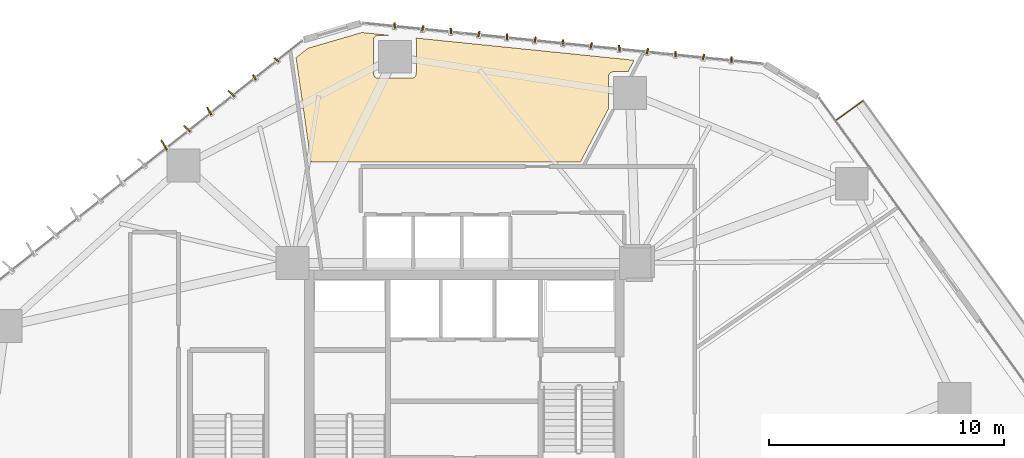
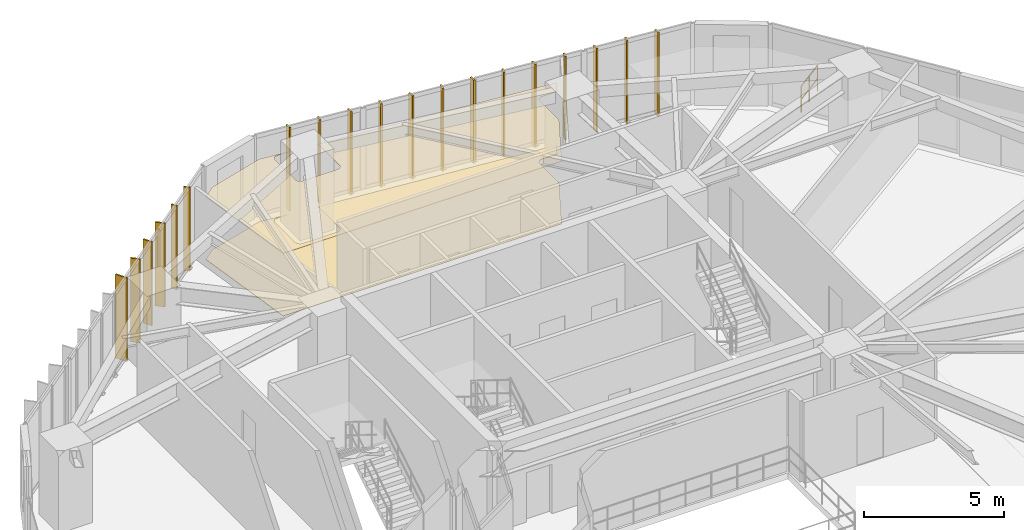
# One storey, part 24 of 24: 19 shading devices, 2 coverings, 1 railing.
"""IFC4 building model written with IfcOpenShell, lengths in metres."""

import ifcopenshell
import ifcopenshell.guid

model = None  # the IFC model being written
_history = None  # IfcOwnerHistory: only IFC2X3 demands one
_inside = {}  # id of a spatial element -> (the spatial element, [elements in it])
_under = {}  # id of a project, library or spatial element -> (it, [spatial elements below it])
_declared = {}  # id of a project -> (the project, [libraries it declares])
_typed = {}  # id of a type object -> (the type object, [elements of that type])
_made_of = {}  # id of a material, layer set ... -> (it, [elements and type objects made of it])


def new_model(schema):
    """Start an empty IFC model of exactly this schema.

    Asked for "IFC4X3", IfcOpenShell would pick the latest addendum, in which some entities
    have other attributes; the version numbers below select the first issue.
    IFC2X3 requires an IfcOwnerHistory on every rooted entity: one is made here for all.
    """
    global model, _history
    if schema == "IFC4X3":
        model = ifcopenshell.file(schema_version=(4, 3, 0, 0))
    else:
        model = ifcopenshell.file(schema=schema)
    _inside.clear()
    _under.clear()
    _declared.clear()
    _typed.clear()
    _made_of.clear()
    _history = None
    if model.schema == "IFC2X3":
        org = make("IfcOrganization", Name="unknown")
        user = make(
            "IfcPersonAndOrganization",
            ThePerson=make("IfcPerson", FamilyName="unknown"),
            TheOrganization=org,
        )
        app = make(
            "IfcApplication",
            ApplicationDeveloper=org,
            Version="unknown",
            ApplicationFullName="unknown",
            ApplicationIdentifier="unknown",
        )
        _history = make(
            "IfcOwnerHistory",
            OwningUser=user,
            OwningApplication=app,
            ChangeAction="ADDED",
            CreationDate=0,
        )
    return model


def make(cls, **values):
    """One entity of the class cls with the attributes given. An attribute that is None is left unset."""
    return model.create_entity(
        cls, **{name: value for name, value in values.items() if value is not None}
    )


def rooted(cls, **values):
    """An entity with a GlobalId (a new one), such as an element, a storey or a relation."""
    return make(cls, GlobalId=ifcopenshell.guid.new(), OwnerHistory=_history, **values)


def si_unit(unit_type, name, prefix=None):
    """IfcSIUnit, for example si_unit("LENGTHUNIT", "METRE", prefix="MILLI")."""
    return make("IfcSIUnit", UnitType=unit_type, Prefix=prefix, Name=name)


def assignment(units):
    """IfcUnitAssignment: the units of a project."""
    return None if units is None else make("IfcUnitAssignment", Units=units)


def point(xyz):
    """IfcCartesianPoint."""
    return None if xyz is None else make("IfcCartesianPoint", Coordinates=xyz)


def direction(xyz):
    """IfcDirection."""
    return None if xyz is None else make("IfcDirection", DirectionRatios=xyz)


def frame(location, z_axis=None, x_axis=None):
    """IfcAxis2Placement3D, a coordinate frame: its origin and axes. An axis left out is left unset."""
    return make(
        "IfcAxis2Placement3D",
        Location=point(location),
        Axis=direction(z_axis),
        RefDirection=direction(x_axis),
    )


def frame_2d(location, x_axis=None):
    """IfcAxis2Placement2D, a coordinate frame in the plane: its origin and x axis."""
    return make(
        "IfcAxis2Placement2D", Location=point(location), RefDirection=direction(x_axis)
    )


def origin():
    """The frame at (0, 0, 0) with its axes left unset."""
    return frame((0.0, 0.0, 0.0))


def origin_2d():
    """The frame at (0, 0) in the plane with its x axis left unset."""
    return frame_2d((0.0, 0.0))


def place(relative_to, where):
    """IfcLocalPlacement: puts the frame where relative to a parent placement (None: the world)."""
    return make(
        "IfcLocalPlacement", PlacementRelTo=relative_to, RelativePlacement=where
    )


def context(
    kind, dimensions, precision=None, world=None, true_north=None, identifier=None
):
    """IfcGeometricRepresentationContext, for example the 3D "Model" context."""
    return make(
        "IfcGeometricRepresentationContext",
        ContextIdentifier=identifier,
        ContextType=kind,
        CoordinateSpaceDimension=dimensions,
        Precision=precision,
        WorldCoordinateSystem=world,
        TrueNorth=true_north,
    )


def subcontext(parent, identifier, kind, view, scale=None):
    """IfcGeometricRepresentationSubContext, for example "Body" below "Model"."""
    return make(
        "IfcGeometricRepresentationSubContext",
        ContextIdentifier=identifier,
        ContextType=kind,
        ParentContext=parent,
        TargetScale=scale,
        TargetView=view,
    )


def project(units=None, contexts=None):
    """IfcProject with its units and contexts."""
    return rooted(
        "IfcProject",
        Name="project",
        RepresentationContexts=contexts,
        UnitsInContext=assignment(units),
    )


def spatial(cls, under=None, at=None, **own):
    """A site, building, storey or space (cls), placed at a placement, below another one or the project."""
    s = rooted(cls, ObjectPlacement=at, **own)
    if under is not None:
        _under.setdefault(under.id(), (under, []))[1].append(s)
    return s


def polyline(points):
    """IfcPolyline through the points."""
    return make("IfcPolyline", Points=[point(p) for p in points])


def profile(cls, at=None, kind="AREA", **sizes):
    """A parametric profile (cls). Its sizes go by their IFC names, for example OverallWidth=200.0."""
    return make(cls, ProfileType=kind, Position=at, **sizes)


def rectangle(**sizes):
    """IfcRectangleProfileDef."""
    return profile("IfcRectangleProfileDef", **sizes)


def circle(**sizes):
    """IfcCircleProfileDef."""
    return profile("IfcCircleProfileDef", **sizes)


def outline(outer, holes=None, kind="AREA"):
    """IfcArbitraryClosedProfileDef: a profile drawn as a closed curve; with holes, ...WithVoids."""
    if holes is None:
        return make("IfcArbitraryClosedProfileDef", ProfileType=kind, OuterCurve=outer)
    return make(
        "IfcArbitraryProfileDefWithVoids",
        ProfileType=kind,
        OuterCurve=outer,
        InnerCurves=holes,
    )


def extrude(swept, where, along, depth):
    """IfcExtrudedAreaSolid: the profile swept, set in the frame where, extruded along a direction by depth."""
    return make(
        "IfcExtrudedAreaSolid",
        SweptArea=swept,
        Position=where,
        ExtrudedDirection=direction(along),
        Depth=depth,
    )


def shape(context_of_items, identifier, shape_type, items):
    """IfcShapeRepresentation: the items that make up one representation, for example the "Body"."""
    return make(
        "IfcShapeRepresentation",
        ContextOfItems=context_of_items,
        RepresentationIdentifier=identifier,
        RepresentationType=shape_type,
        Items=items,
    )


def source(mapping_origin, context_of_items, identifier, shape_type, items):
    """IfcRepresentationMap: a shape defined once, which mapped items show again and again."""
    return make(
        "IfcRepresentationMap",
        MappingOrigin=mapping_origin,
        MappedRepresentation=shape(context_of_items, identifier, shape_type, items),
    )


def transform(
    local_origin,
    x_axis=None,
    y_axis=None,
    z_axis=None,
    scale=None,
    scale2=None,
    scale3=None,
    uniform=True,
):
    """IfcCartesianTransformationOperator3D, or its non-uniform kind. x_axis, y_axis, z_axis: its Axis1, 2, 3."""
    if uniform:
        return make(
            "IfcCartesianTransformationOperator3D",
            Axis1=direction(x_axis),
            Axis2=direction(y_axis),
            LocalOrigin=point(local_origin),
            Scale=scale,
            Axis3=direction(z_axis),
        )
    return make(
        "IfcCartesianTransformationOperator3DnonUniform",
        Axis1=direction(x_axis),
        Axis2=direction(y_axis),
        LocalOrigin=point(local_origin),
        Scale=scale,
        Axis3=direction(z_axis),
        Scale2=scale2,
        Scale3=scale3,
    )


def mapped(mapping_source, mapping_target):
    """IfcMappedItem: shows the shape of a source again, moved by a transform."""
    return make(
        "IfcMappedItem", MappingSource=mapping_source, MappingTarget=mapping_target
    )


def material(Name=None, Category=None):
    """IfcMaterial."""
    return make("IfcMaterial", Name=Name, Category=Category)


def layer(
    of_material, thickness, ventilated=None, Name=None, Category=None, Priority=None
):
    """IfcMaterialLayer: one layer of a wall or slab, of a material (None: an air gap)."""
    return make(
        "IfcMaterialLayer",
        Material=of_material,
        LayerThickness=thickness,
        IsVentilated=ventilated,
        Name=Name,
        Category=Category,
        Priority=Priority,
    )


def layer_set(layers, Name=None):
    """IfcMaterialLayerSet."""
    return make("IfcMaterialLayerSet", MaterialLayers=layers, LayerSetName=Name)


def made_of(thing, what):
    """Note that an element or type object is made of a material, layer set ...; save() writes the relation."""
    if what is not None:
        _made_of.setdefault(what.id(), (what, []))[1].append(thing)
    return thing


def type_object(cls, material=None, **own):
    """A type object (cls), such as IfcWallType, which elements share."""
    return made_of(rooted(cls, **own), material)


def type_shapes(of_type, sources):
    """Give a type object the sources (RepresentationMaps) that its elements show as mapped items."""
    of_type.RepresentationMaps = sources


def element(
    cls,
    number,
    at=None,
    inside=None,
    cuts=None,
    type_object=None,
    material=None,
    context=None,
    identifier="Body",
    shape_type=None,
    held_by="IfcProductDefinitionShape",
    body=None,
    shapes=None,
    **own,
):
    """One element of the class cls, such as IfcWall. Its Tag is "e" and its number.

    at: its placement. inside: the storey or other place that contains it. cuts: it is an
    opening in that element (IfcRelVoidsElement). A single representation is given by context,
    identifier, shape_type and body (its items); several are given by shapes. held_by: the class
    of the entity that holds the representations. save() writes the other relations.
    """
    e = rooted(cls, Tag="e%d" % number, ObjectPlacement=at, **own)
    if body is not None:
        shapes = [shape(context, identifier, shape_type, body)]
    if shapes is not None:
        e.Representation = make(held_by, Representations=shapes)
    if inside is not None:
        _inside.setdefault(inside.id(), (inside, []))[1].append(e)
    if cuts is not None:
        rooted(
            "IfcRelVoidsElement", RelatingBuildingElement=cuts, RelatedOpeningElement=e
        )
    if type_object is not None:
        _typed.setdefault(type_object.id(), (type_object, []))[1].append(e)
    return made_of(e, material)


def aggregate(whole, parts):
    """IfcRelAggregates: a whole, such as a stair, and the parts it consists of."""
    return rooted("IfcRelAggregates", RelatingObject=whole, RelatedObjects=parts)


def save(model, path):
    """Write the relations noted so far, then the file.

    IfcRelAggregates (storeys below a building ...), IfcRelContainedInSpatialStructure (elements
    in a storey), IfcRelDefinesByType, IfcRelAssociatesMaterial and IfcRelDeclares: one each for
    every whole, place, type object, material and project.
    """
    for whole, parts in _under.values():
        aggregate(whole, parts)
    for where, things in _inside.values():
        rooted(
            "IfcRelContainedInSpatialStructure",
            RelatedElements=things,
            RelatingStructure=where,
        )
    for kind, things in _typed.values():
        rooted("IfcRelDefinesByType", RelatedObjects=things, RelatingType=kind)
    for what, things in _made_of.values():
        rooted("IfcRelAssociatesMaterial", RelatedObjects=things, RelatingMaterial=what)
    for by, libraries in _declared.values():
        rooted("IfcRelDeclares", RelatingContext=by, RelatedDefinitions=libraries)
    model.write(path)


model = new_model("IFC4")

# Units and contexts
model_context = context("Model", 3, precision=1e-05, world=origin(), true_north=direction((0.0, 1.0)))
body_context = subcontext(model_context, "Body", "Model", "MODEL_VIEW")
ifc_project = project(units=[si_unit("LENGTHUNIT", "METRE"), si_unit("AREAUNIT", "SQUARE_METRE"), si_unit("VOLUMEUNIT", "CUBIC_METRE"), si_unit("PLANEANGLEUNIT", "RADIAN"), si_unit("MASSUNIT", "GRAM", prefix="KILO")], contexts=[model_context])

# Site, building, storey
site_placement = place(None, origin())
site = spatial("IfcSite", under=ifc_project, at=site_placement, CompositionType="ELEMENT")
building_placement = place(site_placement, origin())
building = spatial("IfcBuilding", under=site, at=building_placement, Name="Talar Marvaseh", CompositionType="ELEMENT")
storey_placement = place(building_placement, frame((0.0, 0.0, 73.39990234375)))
storey = spatial("IfcBuildingStorey", under=building, at=storey_placement, Name="L18", CompositionType="ELEMENT", Elevation=73.39990234375)

# Railing
ifc_material_1 = material(Name="Tempered Clear Glass", Category="glass")
railing_type = type_object("IfcRailingType", Name="External Laminated Glass Terrace Balustrade 1150", PredefinedType="BALUSTRADE", material=ifc_material_1)
railing_placement = place(storey_placement, frame((41.810302734375, 42.963623046875, 0.0)))
element("IfcRailing", 1, at=railing_placement, inside=storey, type_object=railing_type, Name="L18 External Terrace Balustrade 1 1", PredefinedType="BALUSTRADE", context=body_context, shape_type="SweptSolid", body=[
    extrude(circle(Radius=0.02392578125, at=origin_2d()), frame((0.0, 0.0, 1.1259765625), z_axis=(0.809984663489, 0.586451059264, 0.0), x_axis=(-0.586451059264, 0.809984663489, 0.0)), (0.0, 0.0, 1.0), 1.409912109375),
    extrude(circle(Radius=0.02392578125, at=origin_2d()), frame((0.0, 0.0, 0.55078125), z_axis=(0.809984663489, 0.586451059264, 0.0), x_axis=(-0.586451059264, 0.809984663489, 0.0)), (0.0, 0.0, 1.0), 1.409912109375),
    extrude(circle(Radius=0.02099609375, at=origin_2d()), origin(), (0.0, 0.0, 1.0), 1.101806640625),
    extrude(circle(Radius=0.02099609375, at=origin_2d()), frame((0.571044921875, 0.41357421875, 0.0)), (0.0, 0.0, 1.0), 1.101806640625),
    extrude(circle(Radius=0.02099609375, at=origin_2d()), frame((1.14208984375, 0.826904296875, 0.0)), (0.0, 0.0, 1.0), 1.101806640625),
])

# Coverings
ifc_material_2 = material(Name="Mineral Fibre Acoustic Ceiling")
ifc_layer_1 = layer(ifc_material_2, 0.02490234375)
ifc_layer_set_1 = layer_set([ifc_layer_1], Name="Mineral Fibre Acoustic Ceiling")
covering_type_1 = type_object("IfcCoveringType", Name="Perforated Mineral Fibre Acoustic Suspended Ceiling", PredefinedType="CEILING", material=ifc_layer_set_1)
covering_1_placement = place(storey_placement, frame((0.0, 0.0, 2.72021484375)))
element("IfcCovering", 2, at=covering_1_placement, inside=storey, type_object=covering_type_1, Name="L18 Main Reading Room Acoustic Ceiling", PredefinedType="CEILING", context=body_context, shape_type="SweptSolid", body=[
    extrude(outline(polyline([(19.357421875, 46.031494140625), (21.6455078125, 46.698486328125), (22.817138671875, 46.5791015625), (22.335693359375, 46.57763671875), (22.316162109375, 46.57666015625), (22.296875, 46.573486328125), (22.27783203125, 46.56884765625), (22.259521484375, 46.562255859375), (22.24169921875, 46.5537109375), (22.22509765625, 46.543701171875), (22.209228515625, 46.531982421875), (22.19482421875, 46.518798828125), (22.181640625, 46.50439453125), (22.169921875, 46.488525390625), (22.159912109375, 46.4716796875), (22.151611328125, 46.4541015625), (22.14501953125, 46.435546875), (22.14013671875, 46.41650390625), (22.137451171875, 46.397216796875), (22.136474609375, 46.377685546875), (22.136474609375, 44.956298828125), (22.137451171875, 44.936767578125), (22.14013671875, 44.91748046875), (22.14501953125, 44.898193359375), (22.151611328125, 44.8798828125), (22.159912109375, 44.862060546875), (22.170166015625, 44.84521484375), (22.181884765625, 44.82958984375), (22.195068359375, 44.81494140625), (22.20947265625, 44.8017578125), (22.225341796875, 44.7900390625), (22.2421875, 44.780029296875), (22.260009765625, 44.771484375), (22.2783203125, 44.764892578125), (22.29736328125, 44.76025390625), (22.31689453125, 44.75732421875), (22.33642578125, 44.75634765625), (23.757568359375, 44.75634765625), (23.777099609375, 44.75732421875), (23.79638671875, 44.76025390625), (23.8154296875, 44.764892578125), (23.833984375, 44.771484375), (23.851806640625, 44.77978515625), (23.868408203125, 44.7900390625), (23.88427734375, 44.801513671875), (23.898681640625, 44.814697265625), (23.912109375, 44.829345703125), (23.923583984375, 44.844970703125), (23.933837890625, 44.86181640625), (23.942138671875, 44.87939453125), (23.94873046875, 44.89794921875), (23.95361328125, 44.9169921875), (23.95654296875, 44.936279296875), (23.95751953125, 44.955810546875), (23.9619140625, 46.367919921875), (23.961181640625, 46.386474609375), (23.95849609375, 46.40478515625), (23.954345703125, 46.423095703125), (23.948486328125, 46.440673828125), (23.94091796875, 46.457763671875), (23.936767578125, 46.465087890625), (33.199951171875, 45.52099609375), (33.199951171875, 45.470703125), (32.968505859375, 45.032958984375), (32.345947265625, 45.032958984375), (32.324462890625, 45.03173828125), (32.30322265625, 45.0283203125), (32.282470703125, 45.022705078125), (32.262451171875, 45.0146484375), (32.243408203125, 45.004638671875), (32.22998046875, 44.99658203125), (32.214599609375, 44.986328125), (32.199951171875, 44.974609375), (32.186279296875, 44.96142578125), (32.17431640625, 44.947021484375), (32.16357421875, 44.931640625), (32.154296875, 44.915283203125), (32.146484375, 44.898193359375), (32.140625, 44.88037109375), (32.13623046875, 44.8623046875), (32.1337890625, 44.843505859375), (32.1328125, 44.82470703125), (32.134765625, 43.45751953125), (30.940185546875, 41.199951171875), (21.60009765625, 41.199951171875), (19.478515625, 41.199951171875), (18.847412109375, 45.62841796875), (19.357421875, 46.031494140625)])), origin(), (0.0, 0.0, 1.0), 0.02490234375),
])
ifc_material_3 = material(Name="Porcelain Stoneware Tile", Category="masonry")
ifc_layer_2 = layer(ifc_material_3, 0.02001953125)
ifc_layer_set_2 = layer_set([ifc_layer_2], Name="Porcelain Stoneware Tile")
covering_type_2 = type_object("IfcCoveringType", Name="Polished Porcelain Stoneware Gallery Flooring", PredefinedType="FLOORING", material=ifc_layer_set_2)
covering_2_placement = place(storey_placement, origin())
element("IfcCovering", 3, at=covering_2_placement, inside=storey, type_object=covering_type_2, Name="L18 Main Reading Room Flooring", PredefinedType="FLOORING", context=body_context, shape_type="SweptSolid", body=[
    extrude(outline(polyline([(19.357421875, 46.031494140625), (21.6455078125, 46.698486328125), (22.817138671875, 46.5791015625), (22.335693359375, 46.57763671875), (22.316162109375, 46.57666015625), (22.296875, 46.573486328125), (22.27783203125, 46.56884765625), (22.259521484375, 46.562255859375), (22.24169921875, 46.5537109375), (22.22509765625, 46.543701171875), (22.209228515625, 46.531982421875), (22.19482421875, 46.518798828125), (22.181640625, 46.50439453125), (22.169921875, 46.488525390625), (22.159912109375, 46.4716796875), (22.151611328125, 46.4541015625), (22.14501953125, 46.435546875), (22.14013671875, 46.41650390625), (22.137451171875, 46.397216796875), (22.136474609375, 46.377685546875), (22.136474609375, 44.956298828125), (22.137451171875, 44.936767578125), (22.14013671875, 44.91748046875), (22.14501953125, 44.898193359375), (22.151611328125, 44.8798828125), (22.159912109375, 44.862060546875), (22.170166015625, 44.84521484375), (22.181884765625, 44.82958984375), (22.195068359375, 44.81494140625), (22.20947265625, 44.8017578125), (22.225341796875, 44.7900390625), (22.2421875, 44.780029296875), (22.260009765625, 44.771484375), (22.2783203125, 44.764892578125), (22.29736328125, 44.76025390625), (22.31689453125, 44.75732421875), (22.33642578125, 44.75634765625), (23.757568359375, 44.75634765625), (23.777099609375, 44.75732421875), (23.79638671875, 44.76025390625), (23.8154296875, 44.764892578125), (23.833984375, 44.771484375), (23.851806640625, 44.77978515625), (23.868408203125, 44.7900390625), (23.88427734375, 44.801513671875), (23.898681640625, 44.814697265625), (23.912109375, 44.829345703125), (23.923583984375, 44.844970703125), (23.933837890625, 44.86181640625), (23.942138671875, 44.87939453125), (23.94873046875, 44.89794921875), (23.95361328125, 44.9169921875), (23.95654296875, 44.936279296875), (23.95751953125, 44.955810546875), (23.9619140625, 46.367919921875), (23.961181640625, 46.386474609375), (23.95849609375, 46.40478515625), (23.954345703125, 46.423095703125), (23.948486328125, 46.440673828125), (23.94091796875, 46.457763671875), (23.936767578125, 46.465087890625), (33.199951171875, 45.52099609375), (33.199951171875, 45.470703125), (32.968505859375, 45.032958984375), (32.345947265625, 45.032958984375), (32.324462890625, 45.03173828125), (32.30322265625, 45.0283203125), (32.282470703125, 45.022705078125), (32.262451171875, 45.0146484375), (32.243408203125, 45.004638671875), (32.22998046875, 44.99658203125), (32.214599609375, 44.986328125), (32.199951171875, 44.974609375), (32.186279296875, 44.96142578125), (32.17431640625, 44.947021484375), (32.16357421875, 44.931640625), (32.154296875, 44.915283203125), (32.146484375, 44.898193359375), (32.140625, 44.88037109375), (32.13623046875, 44.8623046875), (32.1337890625, 44.843505859375), (32.1328125, 44.82470703125), (32.134765625, 43.45751953125), (30.940185546875, 41.199951171875), (21.60009765625, 41.199951171875), (19.478515625, 41.199951171875), (18.847412109375, 45.62841796875), (19.357421875, 46.031494140625)])), origin(), (0.0, 0.0, 1.0), 0.02001953125),
])

# Shading devices
ifc_material_4 = material(Name="Anodised Champagne Bronze Aluminium", Category="aluminium")
ifc_layer_3 = layer(ifc_material_4, 0.06494140625)
ifc_layer_set_3 = layer_set([ifc_layer_3], Name="Anodised Champagne Bronze Aluminium")
shading_device_type_1 = type_object("IfcShadingDeviceType", Name="Sawtooth Champagne Bronze Vertical Fin 240", PredefinedType="USERDEFINED", material=ifc_layer_set_3)
shared_shape_1 = source(origin(), body_context, "Body", "SweptSolid", [
    extrude(rectangle(XDim=0.239990234375, YDim=0.06494140625, at=origin_2d()), origin(), (0.0, 0.0, 1.0), 3.639892578125),
])
type_shapes(shading_device_type_1, [shared_shape_1])
for number, where, z_axis, x_axis, name in (
    (4, (17.07470703125, 44.794921875, -0.11962890625), (0.0, 0.0, 1.0), (-0.504828974973, 0.863219384645, 0.0), "L18 Sawtooth Vertical Solar Fin"),
    (5, (18.016357421875, 45.5390625, -0.11962890625), (0.0, 0.0, 1.0), (-0.723208265315, 0.690630005849, 0.0), "L18 Sawtooth Vertical Solar Fin"),
    (6, (23.041015625, 47.00341796875, -0.11962890625), (0.0, 0.0, 1.0), (-0.038038998196, 0.999276255405, 0.0), "L18 Sawtooth Vertical Solar Fin"),
    (7, (24.23486328125, 46.8818359375, -0.11962890625), (0.0, 0.0, 1.0), (0.238872432853, 0.971050956862, 0.0), "L18 Sawtooth Vertical Solar Fin"),
    (8, (25.4287109375, 46.76025390625, -0.11962890625), (0.0, 0.0, 1.0), (-0.038038998196, 0.999276255405, 0.0), "L18 Sawtooth Vertical Solar Fin"),
    (9, (26.62255859375, 46.638671875, -0.11962890625), (0.0, 0.0, 1.0), (0.238872432853, 0.971050956862, 0.0), "L18 Sawtooth Vertical Solar Fin"),
    (10, (27.81640625, 46.51708984375, -0.11962890625), (0.0, 0.0, 1.0), (-0.038038998196, 0.999276255405, 0.0), "L18 Sawtooth Vertical Solar Fin"),
    (11, (29.01025390625, 46.395263671875, -0.11962890625), (0.0, 0.0, 1.0), (0.238872432853, 0.971050956862, 0.0), "L18 Sawtooth Vertical Solar Fin"),
    (12, (30.2041015625, 46.273681640625, -0.11962890625), (0.0, 0.0, 1.0), (-0.038038998196, 0.999276255405, 0.0), "L18 Sawtooth Vertical Solar Fin"),
    (13, (31.397705078125, 46.152099609375, -0.11962890625), (0.0, 0.0, 1.0), (0.238872432853, 0.971050956862, 0.0), "L18 Sawtooth Vertical Solar Fin"),
    (14, (32.591552734375, 46.030517578125, -0.11962890625), (0.0, 0.0, 1.0), (-0.038038998196, 0.999276255405, 0.0), "L18 Sawtooth Vertical Solar Fin"),
    (15, (33.785400390625, 45.90869140625, -0.11962890625), (0.0, 0.0, 1.0), (0.238872432853, 0.971050956862, 0.0), "L18 Sawtooth Vertical Solar Fin"),
    (16, (34.979248046875, 45.787109375, -0.11962890625), (0.0, 0.0, 1.0), (-0.038038998196, 0.999276255405, 0.0), "L18 Sawtooth Vertical Solar Fin"),
    (17, (36.173095703125, 45.66552734375, -0.11962890625), (0.0, 0.0, 1.0), (0.238872432853, 0.971050956862, 0.0), "L18 Sawtooth Vertical Solar Fin"),
    (18, (37.366943359375, 45.5439453125, -0.11962890625), (0.0, 0.0, 1.0), (-0.038038998196, 0.999276255405, 0.0), "L18 Sawtooth Vertical Solar Fin"),
):
    element("IfcShadingDevice", number, at=place(storey_placement, frame(where, z_axis=z_axis, x_axis=x_axis)), inside=storey, type_object=shading_device_type_1, Name=name, ObjectType="FIN", PredefinedType="USERDEFINED", context=body_context, shape_type="MappedRepresentation", body=[
        mapped(shared_shape_1, transform((0.0, 0.0, 0.0), x_axis=(1.0, 0.0, 0.0), y_axis=(0.0, 1.0, 0.0), z_axis=(0.0, 0.0, 1.0), scale=1.0)),
    ])
ifc_layer_4 = layer(ifc_material_4, 0.06494140625)
ifc_layer_set_4 = layer_set([ifc_layer_4], Name="Anodised Champagne Bronze Aluminium")
shading_device_type_2 = type_object("IfcShadingDeviceType", Name="Sawtooth Champagne Bronze Vertical Fin 360", PredefinedType="USERDEFINED", material=ifc_layer_set_4)
shared_shape_2 = source(origin(), body_context, "Body", "SweptSolid", [
    extrude(rectangle(XDim=0.360107421875, YDim=0.06494140625, at=origin_2d()), origin(), (0.0, 0.0, 1.0), 3.639892578125),
])
type_shapes(shading_device_type_2, [shared_shape_2])
for number, where, z_axis, x_axis, name in (
    (19, (14.213134765625, 42.610107421875, -0.11962890625), (0.0, 0.0, 1.0), (-0.723208265315, 0.690630005849, 0.0), "L18 Sawtooth Vertical Solar Fin"),
    (20, (15.154541015625, 43.35400390625, -0.11962890625), (0.0, 0.0, 1.0), (-0.504828974973, 0.863219384645, 0.0), "L18 Sawtooth Vertical Solar Fin"),
    (21, (16.09619140625, 44.097900390625, -0.11962890625), (0.0, 0.0, 1.0), (-0.723208265315, 0.690630005849, 0.0), "L18 Sawtooth Vertical Solar Fin"),
):
    element("IfcShadingDevice", number, at=place(storey_placement, frame(where, z_axis=z_axis, x_axis=x_axis)), inside=storey, type_object=shading_device_type_2, Name=name, ObjectType="FIN", PredefinedType="USERDEFINED", context=body_context, shape_type="MappedRepresentation", body=[
        mapped(shared_shape_2, transform((0.0, 0.0, 0.0), x_axis=(1.0, 0.0, 0.0), y_axis=(0.0, 1.0, 0.0), z_axis=(0.0, 0.0, 1.0), scale=1.0)),
    ])
ifc_layer_5 = layer(ifc_material_4, 0.06494140625)
ifc_layer_set_5 = layer_set([ifc_layer_5], Name="Anodised Champagne Bronze Aluminium")
shading_device_type_3 = type_object("IfcShadingDeviceType", Name="Sawtooth Champagne Bronze Vertical Fin 480", PredefinedType="USERDEFINED", material=ifc_layer_set_5)
shared_shape_3 = source(origin(), body_context, "Body", "SweptSolid", [
    extrude(rectangle(XDim=0.47998046875, YDim=0.06494140625, at=origin_2d()), origin(), (0.0, 0.0, 1.0), 3.639892578125),
])
type_shapes(shading_device_type_3, [shared_shape_3])
shading_device_placement = place(storey_placement, frame((13.234375, 41.9130859375, -0.11962890625), z_axis=(0.0, 0.0, 1.0), x_axis=(-0.504828974973, 0.863219384645, 0.0)))
element("IfcShadingDevice", 22, at=shading_device_placement, inside=storey, type_object=shading_device_type_3, Name="L18 Sawtooth Vertical Solar Fin", ObjectType="FIN", PredefinedType="USERDEFINED", context=body_context, shape_type="MappedRepresentation", body=[
    mapped(shared_shape_3, transform((0.0, 0.0, 0.0), x_axis=(1.0, 0.0, 0.0), y_axis=(0.0, 1.0, 0.0), z_axis=(0.0, 0.0, 1.0), scale=1.0)),
])

save(model, "model.ifc")
